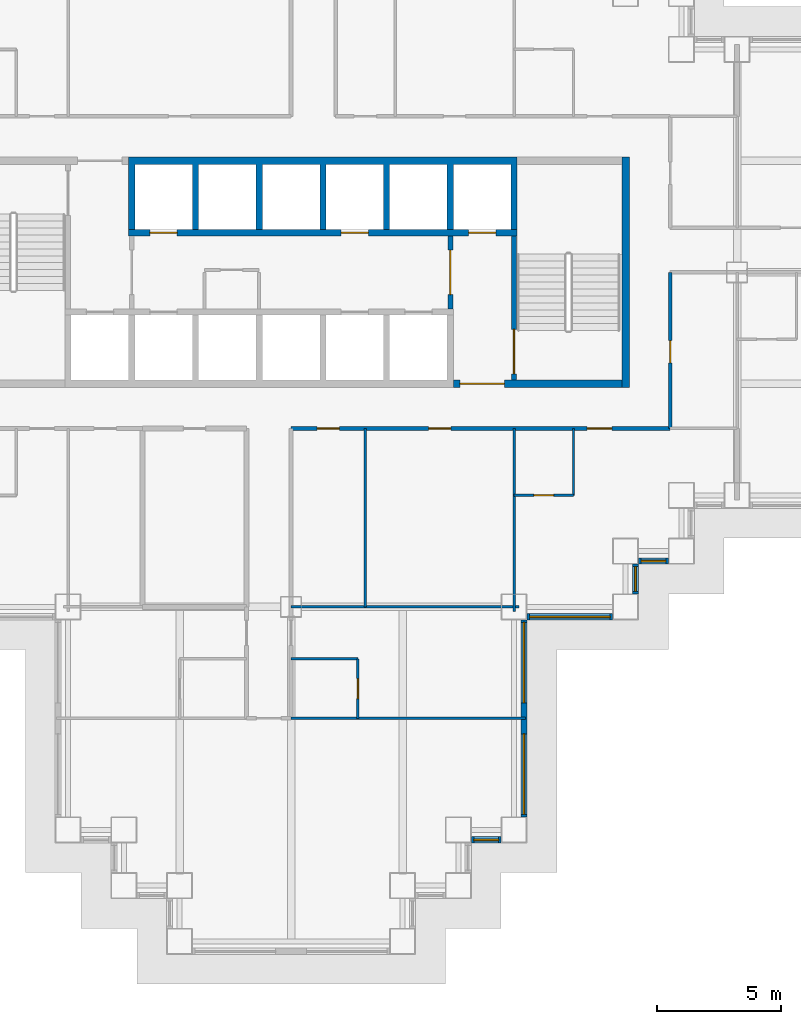
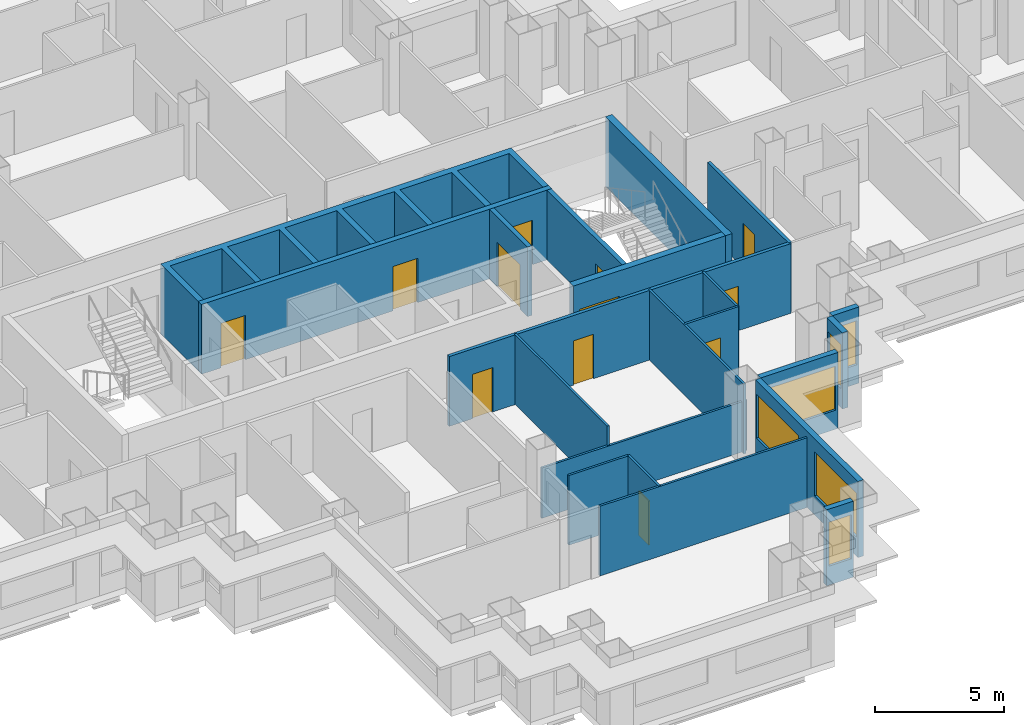
# One storey, part 5 of 14: 21 walls, 12 doors, 6 windows, 18 openings.
"""IFC4 building model written with IfcOpenShell, lengths in metres."""

from ifc_helpers import new_model, si_unit, direction, frame, frame_2d, origin, place, context, subcontext, project, spatial, polyline, rectangle, outline, extrude, material, layer, layer_set, type_object, element, fill, save


model = new_model("IFC4")

# Units and contexts
model_context = context("Model", 3, precision=1e-05, world=origin(), true_north=direction((0.0, 1.0)))
body_context = subcontext(model_context, "Body", "Model", "MODEL_VIEW")
ifc_project = project(units=[si_unit("LENGTHUNIT", "METRE"), si_unit("AREAUNIT", "SQUARE_METRE"), si_unit("VOLUMEUNIT", "CUBIC_METRE"), si_unit("PLANEANGLEUNIT", "RADIAN"), si_unit("MASSUNIT", "GRAM", prefix="KILO")], contexts=[model_context])

# Site, building, storey
site_placement = place(None, origin())
site = spatial("IfcSite", under=ifc_project, at=site_placement, CompositionType="ELEMENT")
building_placement = place(site_placement, origin())
building = spatial("IfcBuilding", under=site, at=building_placement, Name="Caravel Reach Hotel and Residences", CompositionType="ELEMENT")
storey_placement = place(building_placement, frame((0.0, 0.0, 37.199951171875)))
storey = spatial("IfcBuildingStorey", under=building, at=storey_placement, Name="L07", CompositionType="ELEMENT", Elevation=37.199951171875)

# Wall
ifc_material_1 = material(Name="Gypsum board on steel stud", Category="steel")
ifc_layer_1 = layer(ifc_material_1, 0.10009765625)
ifc_layer_set_1 = layer_set([ifc_layer_1], Name="Bathroom pod wall 100 mm")
wall_type_1 = type_object("IfcWallType", Name="Bathroom pod wall 100 mm", PredefinedType="PARTITIONING", material=ifc_layer_set_1)
wall_1_placement = place(storey_placement, frame((31.5, 11.39990234375, 0.0), z_axis=(0.0, 0.0, 1.0), x_axis=(1.0, 0.0, 0.0)))
element("IfcWall", 1, at=wall_1_placement, inside=storey, type_object=wall_type_1, Name="L07 wall w074", PredefinedType="PARTITIONING", context=body_context, shape_type="SweptSolid", body=[
    extrude(rectangle(XDim=2.699951171875, YDim=0.10009765625, at=frame_2d((1.35009765625, 0.0))), origin(), (0.0, 0.0, 1.0), 3.300048828125),
])

# Wall, opening, door
wall_2_placement = place(storey_placement, frame((40.5, 18.0, 0.0), z_axis=(0.0, 0.0, 1.0), x_axis=(1.0, 0.0, 0.0)))
wall_2 = element("IfcWall", 2, at=wall_2_placement, inside=storey, type_object=wall_type_1, Name="L07 wall w077", PredefinedType="PARTITIONING", context=body_context, shape_type="SweptSolid", body=[
    extrude(rectangle(XDim=2.39990234375, YDim=0.10009765625, at=frame_2d((1.199951171875, 0.0))), origin(), (0.0, 0.0, 1.0), 3.300048828125),
])
opening_1_placement = place(wall_2_placement, frame((0.800048828125, 0.0, 0.0)))
opening_1 = element("IfcOpeningElement", 3, at=opening_1_placement, cuts=wall_2, Name="Opening D07-048", PredefinedType="OPENING", context=body_context, shape_type="SweptSolid", body=[
    extrude(rectangle(XDim=0.800048828125, YDim=2.10009765625, at=frame_2d((0.39990234375, 1.050048828125))), frame((0.0, 0.06005859375, 0.0), z_axis=(0.0, -1.0, 0.0), x_axis=(1.0, 0.0, 0.0)), (0.0, 0.0, 1.0), 0.1201171875),
])
ifc_material_2 = material(Name="Timber and steel door leaf", Category="steel")
door_type_1 = type_object("IfcDoorType", Name="Bathroom door 800 x 2100", OperationType="SINGLE_SWING_LEFT", PredefinedType="DOOR", material=ifc_material_2)
door_1_placement = place(opening_1_placement, origin())
door_1 = element("IfcDoor", 4, at=door_1_placement, inside=storey, type_object=door_type_1, Name="door D07-048", OperationType="SINGLE_SWING_RIGHT", OverallHeight=2.10009765625, OverallWidth=0.800048828125, PredefinedType="DOOR", context=body_context, shape_type="SweptSolid", body=[
    extrude(rectangle(XDim=0.800048828125, YDim=2.10009765625, at=frame_2d((0.39990234375, 1.050048828125))), frame((0.0, 0.02490234375, 0.0), z_axis=(0.0, -1.0, 0.0), x_axis=(1.0, 0.0, 0.0)), (0.0, 0.0, 1.0), 0.050048828125),
])
fill(opening_1, door_1)

wall_3_placement = place(storey_placement, frame((34.199951171875, 9.0, 0.0), z_axis=(0.0, 0.0, 1.0), x_axis=(0.0, 1.0, 0.0)))
wall_3 = element("IfcWall", 5, at=wall_3_placement, inside=storey, type_object=wall_type_1, Name="L07 wall w097", PredefinedType="PARTITIONING", context=body_context, shape_type="SweptSolid", body=[
    extrude(rectangle(XDim=2.39990234375, YDim=0.10009765625, at=frame_2d((1.199951171875, 0.0))), origin(), (0.0, 0.0, 1.0), 3.300048828125),
])
opening_2_placement = place(wall_3_placement, frame((0.800048828125, 0.0, 0.0)))
opening_2 = element("IfcOpeningElement", 6, at=opening_2_placement, cuts=wall_3, Name="Opening D07-035", PredefinedType="OPENING", context=body_context, shape_type="SweptSolid", body=[
    extrude(rectangle(XDim=0.800048828125, YDim=2.10009765625, at=frame_2d((0.39990234375, 1.050048828125))), frame((0.0, 0.06005859375, 0.0), z_axis=(0.0, -1.0, 0.0), x_axis=(1.0, 0.0, 0.0)), (0.0, 0.0, 1.0), 0.1201171875),
])
door_2_placement = place(opening_2_placement, origin())
door_2 = element("IfcDoor", 7, at=door_2_placement, inside=storey, type_object=door_type_1, Name="door D07-035", OperationType="SINGLE_SWING_RIGHT", OverallHeight=2.10009765625, OverallWidth=0.800048828125, PredefinedType="DOOR", context=body_context, shape_type="SweptSolid", body=[
    extrude(rectangle(XDim=0.800048828125, YDim=2.10009765625, at=frame_2d((0.39990234375, 1.050048828125))), frame((0.0, 0.02490234375, 0.0), z_axis=(0.0, -1.0, 0.0), x_axis=(1.0, 0.0, 0.0)), (0.0, 0.0, 1.0), 0.050048828125),
])
fill(opening_2, door_2)

# Wall
wall_4_placement = place(storey_placement, frame((42.89990234375, 18.0, 0.0), z_axis=(0.0, 0.0, 1.0), x_axis=(0.0, 1.0, 0.0)))
element("IfcWall", 8, at=wall_4_placement, inside=storey, type_object=wall_type_1, Name="L07 wall w100", PredefinedType="PARTITIONING", context=body_context, shape_type="SweptSolid", body=[
    extrude(rectangle(XDim=2.699951171875, YDim=0.10009765625, at=frame_2d((1.35009765625, 0.0))), origin(), (0.0, 0.0, 1.0), 3.300048828125),
])

# Wall, opening, door
ifc_material_3 = material(Name="Concrete C60", Category="concrete")
ifc_layer_2 = layer(ifc_material_3, 0.300048828125)
ifc_layer_set_2 = layer_set([ifc_layer_2], Name="Core wall 300 mm EI 120")
wall_type_2 = type_object("IfcWallType", Name="Core wall 300 mm EI 120", PredefinedType="SHEAR", material=ifc_layer_set_2)
wall_5_placement = place(storey_placement, frame((38.053466796875, 22.5, 0.0), z_axis=(0.0, 0.0, 1.0), x_axis=(1.0, 0.0, 0.0)))
wall_5 = element("IfcWall", 9, at=wall_5_placement, inside=storey, type_object=wall_type_2, Name="L07 core wall S2", PredefinedType="SHEAR", context=body_context, shape_type="SweptSolid", body=[
    extrude(rectangle(XDim=6.796630859375, YDim=0.300048828125, at=frame_2d((3.3984375, 0.0))), origin(), (0.0, 0.0, 1.0), 3.300048828125),
])
opening_3_placement = place(wall_5_placement, frame((0.2607421875, 0.0, 0.0)))
opening_3 = element("IfcOpeningElement", 10, at=opening_3_placement, cuts=wall_5, Name="Opening D07-014", PredefinedType="OPENING", context=body_context, shape_type="SweptSolid", body=[
    extrude(rectangle(XDim=1.800048828125, YDim=2.10009765625, at=frame_2d((0.89990234375, 1.050048828125))), frame((0.0, 0.159912109375, 0.0), z_axis=(0.0, -1.0, 0.0), x_axis=(1.0, 0.0, 0.0)), (0.0, 0.0, 1.0), 0.320068359375),
])
ifc_material_4 = material(Name="Steel fire door leaf", Category="steel")
door_type_2 = type_object("IfcDoorType", Name="Fire lobby door pair 1800 x 2100 EI 90", OperationType="DOUBLE_DOOR_SINGLE_SWING", PredefinedType="DOOR", material=ifc_material_4)
door_3_placement = place(opening_3_placement, origin())
door_3 = element("IfcDoor", 11, at=door_3_placement, inside=storey, type_object=door_type_2, Name="lobby S door pair to corridor", OperationType="DOUBLE_DOOR_SINGLE_SWING", OverallHeight=2.10009765625, OverallWidth=1.800048828125, PredefinedType="DOOR", context=body_context, shape_type="SweptSolid", body=[
    extrude(rectangle(XDim=1.800048828125, YDim=2.10009765625, at=frame_2d((0.89990234375, 1.050048828125))), frame((0.0, 0.02490234375, 0.0), z_axis=(0.0, -1.0, 0.0), x_axis=(1.0, 0.0, 0.0)), (0.0, 0.0, 1.0), 0.050048828125),
])
fill(opening_3, door_3)

# Wall
wall_6_placement = place(storey_placement, frame((45.0, 22.35009765625, 0.0), z_axis=(0.0, 0.0, 1.0), x_axis=(0.0, 1.0, 0.0)))
element("IfcWall", 12, at=wall_6_placement, inside=storey, type_object=wall_type_2, Name="L07 core wall E", PredefinedType="SHEAR", context=body_context, shape_type="SweptSolid", body=[
    extrude(rectangle(XDim=9.2998046875, YDim=0.300048828125, at=frame_2d((4.64990234375, 0.0))), origin(), (0.0, 0.0, 1.0), 3.300048828125),
])

# Wall, openings, doors
ifc_material_5 = material(Name="Gypsum board on steel stud, fire-rated", Category="steel")
ifc_layer_3 = layer(ifc_material_5, 0.14990234375)
ifc_layer_set_3 = layer_set([ifc_layer_3], Name="Corridor wall 150 mm EI 60")
wall_type_3 = type_object("IfcWallType", Name="Corridor wall 150 mm EI 60", PredefinedType="PARTITIONING", material=ifc_layer_set_3)
wall_7_placement = place(storey_placement, frame((31.5, 20.699951171875, 0.0), z_axis=(0.0, 0.0, 1.0), x_axis=(1.0, 0.0, 0.0)))
wall_7 = element("IfcWall", 13, at=wall_7_placement, inside=storey, type_object=wall_type_3, Name="L07 wall w004", PredefinedType="PARTITIONING", context=body_context, shape_type="SweptSolid", body=[
    extrude(rectangle(XDim=15.300048828125, YDim=0.14990234375, at=frame_2d((7.64990234375, 0.0))), origin(), (0.0, 0.0, 1.0), 3.300048828125),
])
opening_4_placement = place(wall_7_placement, frame((11.949951171875, 0.0, 0.0)))
opening_4 = element("IfcOpeningElement", 14, at=opening_4_placement, cuts=wall_7, Name="Opening D07-047", PredefinedType="OPENING", context=body_context, shape_type="SweptSolid", body=[
    extrude(rectangle(XDim=1.0, YDim=2.10009765625, at=frame_2d((0.5, 1.050048828125))), frame((0.0, 0.0849609375, 0.0), z_axis=(0.0, -1.0, 0.0), x_axis=(1.0, 0.0, 0.0)), (0.0, 0.0, 1.0), 0.169921875),
])
opening_5_placement = place(wall_7_placement, frame((1.050048828125, 0.0, 0.0)))
opening_5 = element("IfcOpeningElement", 15, at=opening_5_placement, cuts=wall_7, Name="Opening D07-054", PredefinedType="OPENING", context=body_context, shape_type="SweptSolid", body=[
    extrude(rectangle(XDim=0.89990234375, YDim=2.10009765625, at=frame_2d((0.449951171875, 1.050048828125))), frame((0.0, 0.0849609375, 0.0), z_axis=(0.0, -1.0, 0.0), x_axis=(1.0, 0.0, 0.0)), (0.0, 0.0, 1.0), 0.169921875),
])
opening_6_placement = place(wall_7_placement, frame((5.550048828125, 0.0, 0.0)))
opening_6 = element("IfcOpeningElement", 16, at=opening_6_placement, cuts=wall_7, Name="Opening D07-055", PredefinedType="OPENING", context=body_context, shape_type="SweptSolid", body=[
    extrude(rectangle(XDim=0.89990234375, YDim=2.10009765625, at=frame_2d((0.449951171875, 1.050048828125))), frame((0.0, 0.0849609375, 0.0), z_axis=(0.0, -1.0, 0.0), x_axis=(1.0, 0.0, 0.0)), (0.0, 0.0, 1.0), 0.169921875),
])
ifc_material_6 = material(Name="Timber and steel door leaf", Category="steel")
door_type_3 = type_object("IfcDoorType", Name="Door 900 x 2100 timber", OperationType="SINGLE_SWING_LEFT", PredefinedType="DOOR", material=ifc_material_6)
door_4_placement = place(opening_5_placement, origin())
door_4 = element("IfcDoor", 17, at=door_4_placement, inside=storey, type_object=door_type_3, Name="door D07-054", OperationType="SINGLE_SWING_LEFT", OverallHeight=2.10009765625, OverallWidth=0.89990234375, PredefinedType="DOOR", context=body_context, shape_type="SweptSolid", body=[
    extrude(rectangle(XDim=0.89990234375, YDim=2.10009765625, at=frame_2d((0.449951171875, 1.050048828125))), frame((0.0, 0.02490234375, 0.0), z_axis=(0.0, -1.0, 0.0), x_axis=(1.0, 0.0, 0.0)), (0.0, 0.0, 1.0), 0.050048828125),
])
fill(opening_5, door_4)
door_5_placement = place(opening_6_placement, origin())
door_5 = element("IfcDoor", 18, at=door_5_placement, inside=storey, type_object=door_type_3, Name="door D07-055", OperationType="SINGLE_SWING_LEFT", OverallHeight=2.10009765625, OverallWidth=0.89990234375, PredefinedType="DOOR", context=body_context, shape_type="SweptSolid", body=[
    extrude(rectangle(XDim=0.89990234375, YDim=2.10009765625, at=frame_2d((0.449951171875, 1.050048828125))), frame((0.0, 0.02490234375, 0.0), z_axis=(0.0, -1.0, 0.0), x_axis=(1.0, 0.0, 0.0)), (0.0, 0.0, 1.0), 0.050048828125),
])
fill(opening_6, door_5)
ifc_material_7 = material(Name="Steel fire door leaf", Category="steel")
door_type_4 = type_object("IfcDoorType", Name="Guest room door 1000 x 2100 EI 30", OperationType="SINGLE_SWING_LEFT", PredefinedType="DOOR", material=ifc_material_7)
door_6_placement = place(opening_4_placement, origin())
door_6 = element("IfcDoor", 19, at=door_6_placement, inside=storey, type_object=door_type_4, Name="door D07-047", OperationType="SINGLE_SWING_RIGHT", OverallHeight=2.10009765625, OverallWidth=1.0, PredefinedType="DOOR", context=body_context, shape_type="SweptSolid", body=[
    extrude(rectangle(XDim=1.0, YDim=2.10009765625, at=frame_2d((0.5, 1.050048828125))), frame((0.0, 0.02490234375, 0.0), z_axis=(0.0, -1.0, 0.0), x_axis=(1.0, 0.0, 0.0)), (0.0, 0.0, 1.0), 0.050048828125),
])
fill(opening_4, door_6)

# Wall, opening, door
wall_8_placement = place(storey_placement, frame((46.800048828125, 20.699951171875, 0.0), z_axis=(0.0, 0.0, 1.0), x_axis=(0.0, 1.0, 0.0)))
wall_8 = element("IfcWall", 20, at=wall_8_placement, inside=storey, type_object=wall_type_3, Name="L07 wall w035", PredefinedType="PARTITIONING", context=body_context, shape_type="SweptSolid", body=[
    extrude(rectangle(XDim=6.300048828125, YDim=0.14990234375, at=frame_2d((3.14990234375, 0.0))), origin(), (0.0, 0.0, 1.0), 3.300048828125),
])
opening_7_placement = place(wall_8_placement, frame((2.64990234375, 0.0, 0.0)))
opening_7 = element("IfcOpeningElement", 21, at=opening_7_placement, cuts=wall_8, Name="Opening D07-058", PredefinedType="OPENING", context=body_context, shape_type="SweptSolid", body=[
    extrude(rectangle(XDim=0.89990234375, YDim=2.10009765625, at=frame_2d((0.449951171875, 1.050048828125))), frame((0.0, 0.0849609375, 0.0), z_axis=(0.0, -1.0, 0.0), x_axis=(1.0, 0.0, 0.0)), (0.0, 0.0, 1.0), 0.169921875),
])
door_7_placement = place(opening_7_placement, origin())
door_7 = element("IfcDoor", 22, at=door_7_placement, inside=storey, type_object=door_type_3, Name="door D07-058", OperationType="SINGLE_SWING_RIGHT", OverallHeight=2.10009765625, OverallWidth=0.89990234375, PredefinedType="DOOR", context=body_context, shape_type="SweptSolid", body=[
    extrude(rectangle(XDim=0.89990234375, YDim=2.10009765625, at=frame_2d((0.449951171875, 1.050048828125))), frame((0.0, 0.02490234375, 0.0), z_axis=(0.0, -1.0, 0.0), x_axis=(1.0, 0.0, 0.0)), (0.0, 0.0, 1.0), 0.050048828125),
])
fill(opening_7, door_7)

# Wall, opening, window
ifc_material_8 = material(Name="Insulated rainscreen wall, aluminium cladding", Category="aluminium")
ifc_layer_4 = layer(ifc_material_8, 0.25)
ifc_layer_set_4 = layer_set([ifc_layer_4], Name="EW1 Tower rainscreen wall")
wall_type_4 = type_object("IfcWallType", Name="EW1 Tower rainscreen wall", PredefinedType="SOLIDWALL", material=ifc_layer_set_4)
wall_9_placement = place(storey_placement, frame((38.77490234375, 4.10009765625, 0.0), z_axis=(0.0, 0.0, 1.0), x_axis=(1.0, 0.0, 0.0)))
wall_9 = element("IfcWall", 23, at=wall_9_placement, inside=storey, type_object=wall_type_4, Name="External wall L07 S9.1", PredefinedType="SOLIDWALL", context=body_context, shape_type="SweptSolid", body=[
    extrude(rectangle(XDim=1.2001953125, YDim=0.25, at=frame_2d((0.60009765625, 0.0))), origin(), (0.0, 0.0, 1.0), 3.60009765625),
])
opening_8_placement = place(wall_9_placement, frame((0.10009765625, 0.0, 0.89990234375)))
opening_8 = element("IfcOpeningElement", 24, at=opening_8_placement, cuts=wall_9, Name="Opening WN1", PredefinedType="OPENING", context=body_context, shape_type="SweptSolid", body=[
    extrude(rectangle(XDim=1.0, YDim=2.080078125, at=frame_2d((0.5, 1.0400390625))), frame((0.0, 0.135009765625, 0.0), z_axis=(0.0, -1.0, 0.0), x_axis=(1.0, 0.0, 0.0)), (0.0, 0.0, 1.0), 0.27001953125),
])
ifc_material_9 = material(Name="Dark low-e glazing in black aluminium frame", Category="aluminium")
window_type_1 = type_object("IfcWindowType", Name="Hotel suite corner window 1000 x 2080", PartitioningType="SINGLE_PANEL", PredefinedType="WINDOW", material=ifc_material_9)
window_1_placement = place(opening_8_placement, origin())
window_1 = element("IfcWindow", 25, at=window_1_placement, inside=storey, type_object=window_type_1, Name="Window L07 S9.1.1", OverallHeight=2.080078125, OverallWidth=1.0, PartitioningType="SINGLE_PANEL", PredefinedType="WINDOW", context=body_context, shape_type="SweptSolid", body=[
    extrude(rectangle(XDim=1.0, YDim=2.080078125, at=frame_2d((0.5, 1.0400390625))), frame((0.0, 0.030029296875, 0.0), z_axis=(0.0, -1.0, 0.0), x_axis=(1.0, 0.0, 0.0)), (0.0, 0.0, 1.0), 0.06005859375),
])
fill(opening_8, window_1)

# Wall, openings, windows
wall_10_placement = place(storey_placement, frame((40.89990234375, 5.02490234375, 0.0), z_axis=(0.0, 0.0, 1.0), x_axis=(0.0, 1.0, 0.0)))
wall_10 = element("IfcWall", 26, at=wall_10_placement, inside=storey, type_object=wall_type_4, Name="External wall L07 E10.1", PredefinedType="SOLIDWALL", context=body_context, shape_type="SweptSolid", body=[
    extrude(rectangle(XDim=7.9501953125, YDim=0.25, at=frame_2d((3.97509765625, 0.0))), origin(), (0.0, 0.0, 1.0), 3.60009765625),
])
opening_9_placement = place(wall_10_placement, frame((0.10009765625, 0.0, 0.89990234375)))
opening_9 = element("IfcOpeningElement", 27, at=opening_9_placement, cuts=wall_10, Name="Opening WN2", PredefinedType="OPENING", context=body_context, shape_type="SweptSolid", body=[
    extrude(rectangle(XDim=3.25, YDim=2.080078125, at=frame_2d((1.625, 1.0400390625))), frame((0.0, 0.135009765625, 0.0), z_axis=(0.0, -1.0, 0.0), x_axis=(1.0, 0.0, 0.0)), (0.0, 0.0, 1.0), 0.27001953125),
])
opening_10_placement = place(wall_10_placement, frame((4.60009765625, 0.0, 0.89990234375)))
opening_10 = element("IfcOpeningElement", 28, at=opening_10_placement, cuts=wall_10, Name="Opening WN2", PredefinedType="OPENING", context=body_context, shape_type="SweptSolid", body=[
    extrude(rectangle(XDim=3.25, YDim=2.080078125, at=frame_2d((1.625, 1.0400390625))), frame((0.0, 0.135009765625, 0.0), z_axis=(0.0, -1.0, 0.0), x_axis=(1.0, 0.0, 0.0)), (0.0, 0.0, 1.0), 0.27001953125),
])
ifc_material_10 = material(Name="Dark low-e glazing in black aluminium frame", Category="aluminium")
window_type_2 = type_object("IfcWindowType", Name="Hotel guest room window 3250 x 2080", PartitioningType="SINGLE_PANEL", PredefinedType="WINDOW", material=ifc_material_10)
window_2_placement = place(opening_9_placement, origin())
window_2 = element("IfcWindow", 29, at=window_2_placement, inside=storey, type_object=window_type_2, Name="Window L07 E10.1.1", OverallHeight=2.080078125, OverallWidth=3.25, PartitioningType="SINGLE_PANEL", PredefinedType="WINDOW", context=body_context, shape_type="SweptSolid", body=[
    extrude(rectangle(XDim=3.25, YDim=2.080078125, at=frame_2d((1.625, 1.0400390625))), frame((0.0, 0.030029296875, 0.0), z_axis=(0.0, -1.0, 0.0), x_axis=(1.0, 0.0, 0.0)), (0.0, 0.0, 1.0), 0.06005859375),
])
fill(opening_9, window_2)
window_3_placement = place(opening_10_placement, origin())
window_3 = element("IfcWindow", 30, at=window_3_placement, inside=storey, type_object=window_type_2, Name="Window L07 E10.1.2", OverallHeight=2.080078125, OverallWidth=3.25, PartitioningType="SINGLE_PANEL", PredefinedType="WINDOW", context=body_context, shape_type="SweptSolid", body=[
    extrude(rectangle(XDim=3.25, YDim=2.080078125, at=frame_2d((1.625, 1.0400390625))), frame((0.0, 0.030029296875, 0.0), z_axis=(0.0, -1.0, 0.0), x_axis=(1.0, 0.0, 0.0)), (0.0, 0.0, 1.0), 0.06005859375),
])
fill(opening_10, window_3)

# Wall, opening, window
wall_11_placement = place(storey_placement, frame((41.02490234375, 13.10009765625, 0.0), z_axis=(0.0, 0.0, 1.0), x_axis=(1.0, 0.0, 0.0)))
wall_11 = element("IfcWall", 31, at=wall_11_placement, inside=storey, type_object=wall_type_4, Name="External wall L07 S11.1", PredefinedType="SOLIDWALL", context=body_context, shape_type="SweptSolid", body=[
    extrude(rectangle(XDim=3.4501953125, YDim=0.25, at=frame_2d((1.72509765625, 0.0))), origin(), (0.0, 0.0, 1.0), 3.60009765625),
])
opening_11_placement = place(wall_11_placement, frame((0.10009765625, 0.0, 0.89990234375)))
opening_11 = element("IfcOpeningElement", 32, at=opening_11_placement, cuts=wall_11, Name="Opening WN2", PredefinedType="OPENING", context=body_context, shape_type="SweptSolid", body=[
    extrude(rectangle(XDim=3.25, YDim=2.080078125, at=frame_2d((1.625, 1.0400390625))), frame((0.0, 0.135009765625, 0.0), z_axis=(0.0, -1.0, 0.0), x_axis=(1.0, 0.0, 0.0)), (0.0, 0.0, 1.0), 0.27001953125),
])
window_4_placement = place(opening_11_placement, origin())
window_4 = element("IfcWindow", 33, at=window_4_placement, inside=storey, type_object=window_type_2, Name="Window L07 S11.1.1", OverallHeight=2.080078125, OverallWidth=3.25, PartitioningType="SINGLE_PANEL", PredefinedType="WINDOW", context=body_context, shape_type="SweptSolid", body=[
    extrude(rectangle(XDim=3.25, YDim=2.080078125, at=frame_2d((1.625, 1.0400390625))), frame((0.0, 0.030029296875, 0.0), z_axis=(0.0, -1.0, 0.0), x_axis=(1.0, 0.0, 0.0)), (0.0, 0.0, 1.0), 0.06005859375),
])
fill(opening_11, window_4)

wall_12_placement = place(storey_placement, frame((45.39990234375, 14.02490234375, 0.0), z_axis=(0.0, 0.0, 1.0), x_axis=(0.0, 1.0, 0.0)))
wall_12 = element("IfcWall", 34, at=wall_12_placement, inside=storey, type_object=wall_type_4, Name="External wall L07 E12.1", PredefinedType="SOLIDWALL", context=body_context, shape_type="SweptSolid", body=[
    extrude(rectangle(XDim=1.2001953125, YDim=0.25, at=frame_2d((0.60009765625, 0.0))), origin(), (0.0, 0.0, 1.0), 3.60009765625),
])
opening_12_placement = place(wall_12_placement, frame((0.10009765625, 0.0, 0.89990234375)))
opening_12 = element("IfcOpeningElement", 35, at=opening_12_placement, cuts=wall_12, Name="Opening WN1", PredefinedType="OPENING", context=body_context, shape_type="SweptSolid", body=[
    extrude(rectangle(XDim=1.0, YDim=2.080078125, at=frame_2d((0.5, 1.0400390625))), frame((0.0, 0.135009765625, 0.0), z_axis=(0.0, -1.0, 0.0), x_axis=(1.0, 0.0, 0.0)), (0.0, 0.0, 1.0), 0.27001953125),
])
window_5_placement = place(opening_12_placement, origin())
window_5 = element("IfcWindow", 36, at=window_5_placement, inside=storey, type_object=window_type_1, Name="Window L07 E12.1.1", OverallHeight=2.080078125, OverallWidth=1.0, PartitioningType="SINGLE_PANEL", PredefinedType="WINDOW", context=body_context, shape_type="SweptSolid", body=[
    extrude(rectangle(XDim=1.0, YDim=2.080078125, at=frame_2d((0.5, 1.0400390625))), frame((0.0, 0.030029296875, 0.0), z_axis=(0.0, -1.0, 0.0), x_axis=(1.0, 0.0, 0.0)), (0.0, 0.0, 1.0), 0.06005859375),
])
fill(opening_12, window_5)

wall_13_placement = place(storey_placement, frame((45.52490234375, 15.35009765625, 0.0), z_axis=(0.0, 0.0, 1.0), x_axis=(1.0, 0.0, 0.0)))
wall_13 = element("IfcWall", 37, at=wall_13_placement, inside=storey, type_object=wall_type_4, Name="External wall L07 S13.1", PredefinedType="SOLIDWALL", context=body_context, shape_type="SweptSolid", body=[
    extrude(rectangle(XDim=1.2001953125, YDim=0.25, at=frame_2d((0.60009765625, 0.0))), origin(), (0.0, 0.0, 1.0), 3.60009765625),
])
opening_13_placement = place(wall_13_placement, frame((0.10009765625, 0.0, 0.89990234375)))
opening_13 = element("IfcOpeningElement", 38, at=opening_13_placement, cuts=wall_13, Name="Opening WN1", PredefinedType="OPENING", context=body_context, shape_type="SweptSolid", body=[
    extrude(rectangle(XDim=1.0, YDim=2.080078125, at=frame_2d((0.5, 1.0400390625))), frame((0.0, 0.135009765625, 0.0), z_axis=(0.0, -1.0, 0.0), x_axis=(1.0, 0.0, 0.0)), (0.0, 0.0, 1.0), 0.27001953125),
])
window_6_placement = place(opening_13_placement, origin())
window_6 = element("IfcWindow", 39, at=window_6_placement, inside=storey, type_object=window_type_1, Name="Window L07 S13.1.1", OverallHeight=2.080078125, OverallWidth=1.0, PartitioningType="SINGLE_PANEL", PredefinedType="WINDOW", context=body_context, shape_type="SweptSolid", body=[
    extrude(rectangle(XDim=1.0, YDim=2.080078125, at=frame_2d((0.5, 1.0400390625))), frame((0.0, 0.030029296875, 0.0), z_axis=(0.0, -1.0, 0.0), x_axis=(1.0, 0.0, 0.0)), (0.0, 0.0, 1.0), 0.06005859375),
])
fill(opening_13, window_6)

# Wall, opening, door
ifc_material_11 = material(Name="Autoclaved aerated block wall")
ifc_layer_5 = layer(ifc_material_11, 0.199951171875)
ifc_layer_set_5 = layer_set([ifc_layer_5], Name="Fire lobby wall 200 mm EI 120")
wall_type_5 = type_object("IfcWallType", Name="Fire lobby wall 200 mm EI 120", PredefinedType="PARTITIONING", material=ifc_layer_set_5)
wall_14_placement = place(storey_placement, frame((37.928466796875, 25.52490234375, 0.0), z_axis=(0.0, 0.0, 1.0), x_axis=(0.0, 1.0, 0.0)))
wall_14 = element("IfcWall", 40, at=wall_14_placement, inside=storey, type_object=wall_type_5, Name="L07 lobby E wall", PredefinedType="PARTITIONING", context=body_context, shape_type="SweptSolid", body=[
    extrude(rectangle(XDim=2.9501953125, YDim=0.199951171875, at=frame_2d((1.47509765625, 0.0))), origin(), (0.0, 0.0, 1.0), 3.300048828125),
])
opening_14_placement = place(wall_14_placement, frame((0.574951171875, 0.0, 0.0)))
opening_14 = element("IfcOpeningElement", 41, at=opening_14_placement, cuts=wall_14, Name="Opening D07-012", PredefinedType="OPENING", context=body_context, shape_type="SweptSolid", body=[
    extrude(rectangle(XDim=1.800048828125, YDim=2.10009765625, at=frame_2d((0.89990234375, 1.050048828125))), frame((0.0, 0.10986328125, 0.0), z_axis=(0.0, -1.0, 0.0), x_axis=(1.0, 0.0, 0.0)), (0.0, 0.0, 1.0), 0.219970703125),
])
door_8_placement = place(opening_14_placement, origin())
door_8 = element("IfcDoor", 42, at=door_8_placement, inside=storey, type_object=door_type_2, Name="lobby E door pair", OperationType="DOUBLE_DOOR_SINGLE_SWING", OverallHeight=2.10009765625, OverallWidth=1.800048828125, PredefinedType="DOOR", context=body_context, shape_type="SweptSolid", body=[
    extrude(rectangle(XDim=1.800048828125, YDim=2.10009765625, at=frame_2d((0.89990234375, 1.050048828125))), frame((0.0, 0.02490234375, 0.0), z_axis=(0.0, -1.0, 0.0), x_axis=(1.0, 0.0, 0.0)), (0.0, 0.0, 1.0), 0.050048828125),
])
fill(opening_14, door_8)

# Walls
ifc_material_12 = material(Name="Gypsum board on steel stud", Category="steel")
ifc_layer_6 = layer(ifc_material_12, 0.10009765625)
ifc_layer_set_6 = layer_set([ifc_layer_6], Name="Partition 100 mm")
wall_type_6 = type_object("IfcWallType", Name="Partition 100 mm", PredefinedType="PARTITIONING", material=ifc_layer_set_6)
wall_15_placement = place(storey_placement, frame((31.5, 13.5, 0.0), z_axis=(0.0, 0.0, 1.0), x_axis=(1.0, 0.0, 0.0)))
element("IfcWall", 43, at=wall_15_placement, inside=storey, type_object=wall_type_6, Name="L07 wall w038", PredefinedType="PARTITIONING", context=body_context, shape_type="SweptSolid", body=[
    extrude(rectangle(XDim=9.18994140625, YDim=0.10009765625, at=frame_2d((4.594970703125, 0.0))), origin(), (0.0, 0.0, 1.0), 2.380126953125),
])
wall_16_placement = place(storey_placement, frame((31.5, 9.0, 0.0), z_axis=(0.0, 0.0, 1.0), x_axis=(1.0, 0.0, 0.0)))
element("IfcWall", 44, at=wall_16_placement, inside=storey, type_object=wall_type_6, Name="L07 wall w052", PredefinedType="PARTITIONING", context=body_context, shape_type="SweptSolid", body=[
    extrude(rectangle(XDim=9.465087890625, YDim=0.10009765625, at=frame_2d((4.732421875, 0.0))), origin(), (0.0, 0.0, 1.0), 3.300048828125),
])
wall_17_placement = place(storey_placement, frame((34.5, 13.5, 0.0), z_axis=(0.0, 0.0, 1.0), x_axis=(0.0, 1.0, 0.0)))
element("IfcWall", 45, at=wall_17_placement, inside=storey, type_object=wall_type_6, Name="L07 wall w058", PredefinedType="PARTITIONING", context=body_context, shape_type="SweptSolid", body=[
    extrude(rectangle(XDim=7.199951171875, YDim=0.10009765625, at=frame_2d((3.60009765625, 0.0))), origin(), (0.0, 0.0, 1.0), 3.300048828125),
])
wall_18_placement = place(storey_placement, frame((40.5, 13.31005859375, 0.0), z_axis=(0.0, 0.0, 1.0), x_axis=(0.0, 1.0, 0.0)))
element("IfcWall", 46, at=wall_18_placement, inside=storey, type_object=wall_type_6, Name="L07 wall w061", PredefinedType="PARTITIONING", context=body_context, shape_type="SweptSolid", body=[
    extrude(rectangle(XDim=7.389892578125, YDim=0.10009765625, at=frame_2d((3.69482421875, 0.0))), origin(), (0.0, 0.0, 1.0), 3.300048828125),
])
ifc_material_13 = material(Name="Concrete C60", Category="concrete")
ifc_layer_7 = layer(ifc_material_13, 0.25)
ifc_layer_set_7 = layer_set([ifc_layer_7], Name="Shaft wall 250 mm EI 120")
wall_type_7 = type_object("IfcWallType", Name="Shaft wall 250 mm EI 120", PredefinedType="SHEAR", material=ifc_layer_set_7)
wall_19_placement = place(storey_placement, origin())
element("IfcWall", 47, at=wall_19_placement, inside=storey, type_object=wall_type_7, Name="L07 lift shaft wall N1", PredefinedType="SHEAR", context=body_context, shape_type="SweptSolid", body=[
    extrude(outline(polyline([(24.946533203125, 28.72509765625), (25.196533203125, 28.72509765625), (25.196533203125, 31.35009765625), (27.517822265625, 31.35009765625), (27.517822265625, 28.72509765625), (27.767822265625, 28.72509765625), (27.767822265625, 31.35009765625), (30.08935546875, 31.35009765625), (30.08935546875, 28.72509765625), (30.33935546875, 28.72509765625), (30.33935546875, 31.35009765625), (32.66064453125, 31.35009765625), (32.66064453125, 28.72509765625), (32.91064453125, 28.72509765625), (32.91064453125, 31.35009765625), (35.232177734375, 31.35009765625), (35.232177734375, 28.72509765625), (35.482177734375, 28.72509765625), (35.482177734375, 31.35009765625), (37.803466796875, 31.35009765625), (37.803466796875, 28.72509765625), (38.053466796875, 28.72509765625), (38.053466796875, 31.35009765625), (40.375, 31.35009765625), (40.375, 28.72509765625), (40.625, 28.72509765625), (40.625, 31.64990234375), (24.946533203125, 31.64990234375), (24.946533203125, 28.72509765625)])), origin(), (0.0, 0.0, 1.0), 3.300048828125),
])

# Wall, openings, doors
wall_20_placement = place(storey_placement, frame((24.946533203125, 28.60009765625, 0.0), z_axis=(0.0, 0.0, 1.0), x_axis=(1.0, 0.0, 0.0)))
wall_20 = element("IfcWall", 48, at=wall_20_placement, inside=storey, type_object=wall_type_7, Name="L07 lobby wall N1", PredefinedType="SHEAR", context=body_context, shape_type="SweptSolid", body=[
    extrude(rectangle(XDim=15.678466796875, YDim=0.25, at=frame_2d((7.83935546875, 0.0))), origin(), (0.0, 0.0, 1.0), 3.300048828125),
])
opening_15_placement = place(wall_20_placement, frame((0.860595703125, 0.0, 0.0)))
opening_15 = element("IfcOpeningElement", 49, at=opening_15_placement, cuts=wall_20, Name="Opening D07-004", PredefinedType="OPENING", context=body_context, shape_type="SweptSolid", body=[
    extrude(rectangle(XDim=1.10009765625, YDim=2.10009765625, at=frame_2d((0.550048828125, 1.050048828125))), frame((0.0, 0.135009765625, 0.0), z_axis=(0.0, -1.0, 0.0), x_axis=(1.0, 0.0, 0.0)), (0.0, 0.0, 1.0), 0.27001953125),
])
opening_16_placement = place(wall_20_placement, frame((8.574951171875, 0.0, 0.0)))
opening_16 = element("IfcOpeningElement", 50, at=opening_16_placement, cuts=wall_20, Name="Opening D07-005", PredefinedType="OPENING", context=body_context, shape_type="SweptSolid", body=[
    extrude(rectangle(XDim=1.10009765625, YDim=2.10009765625, at=frame_2d((0.550048828125, 1.050048828125))), frame((0.0, 0.135009765625, 0.0), z_axis=(0.0, -1.0, 0.0), x_axis=(1.0, 0.0, 0.0)), (0.0, 0.0, 1.0), 0.27001953125),
])
opening_17_placement = place(wall_20_placement, frame((13.718017578125, 0.0, 0.0)))
opening_17 = element("IfcOpeningElement", 51, at=opening_17_placement, cuts=wall_20, Name="Opening D07-007", PredefinedType="OPENING", context=body_context, shape_type="SweptSolid", body=[
    extrude(rectangle(XDim=1.10009765625, YDim=2.10009765625, at=frame_2d((0.550048828125, 1.050048828125))), frame((0.0, 0.135009765625, 0.0), z_axis=(0.0, -1.0, 0.0), x_axis=(1.0, 0.0, 0.0)), (0.0, 0.0, 1.0), 0.27001953125),
])
ifc_material_14 = material(Name="Stainless steel landing door", Category="steel")
door_type_5 = type_object("IfcDoorType", Name="Landing door LD 1100 x 2100 sliding", OperationType="DOUBLE_DOOR_SLIDING", PredefinedType="DOOR", material=ifc_material_14)
door_9_placement = place(opening_15_placement, origin())
door_9 = element("IfcDoor", 52, at=door_9_placement, inside=storey, type_object=door_type_5, Name="LP4 landing door", OperationType="DOUBLE_DOOR_SLIDING", OverallHeight=2.10009765625, OverallWidth=1.10009765625, PredefinedType="DOOR", context=body_context, shape_type="SweptSolid", body=[
    extrude(rectangle(XDim=1.10009765625, YDim=2.10009765625, at=frame_2d((0.550048828125, 1.050048828125))), frame((0.0, 0.02490234375, 0.0), z_axis=(0.0, -1.0, 0.0), x_axis=(1.0, 0.0, 0.0)), (0.0, 0.0, 1.0), 0.050048828125),
])
fill(opening_15, door_9)
door_10_placement = place(opening_16_placement, origin())
door_10 = element("IfcDoor", 53, at=door_10_placement, inside=storey, type_object=door_type_5, Name="LP5 landing door", OperationType="DOUBLE_DOOR_SLIDING", OverallHeight=2.10009765625, OverallWidth=1.10009765625, PredefinedType="DOOR", context=body_context, shape_type="SweptSolid", body=[
    extrude(rectangle(XDim=1.10009765625, YDim=2.10009765625, at=frame_2d((0.550048828125, 1.050048828125))), frame((0.0, 0.02490234375, 0.0), z_axis=(0.0, -1.0, 0.0), x_axis=(1.0, 0.0, 0.0)), (0.0, 0.0, 1.0), 0.050048828125),
])
fill(opening_16, door_10)
door_11_placement = place(opening_17_placement, origin())
door_11 = element("IfcDoor", 54, at=door_11_placement, inside=storey, type_object=door_type_5, Name="FL2 landing door", OperationType="DOUBLE_DOOR_SLIDING", OverallHeight=2.10009765625, OverallWidth=1.10009765625, PredefinedType="DOOR", context=body_context, shape_type="SweptSolid", body=[
    extrude(rectangle(XDim=1.10009765625, YDim=2.10009765625, at=frame_2d((0.550048828125, 1.050048828125))), frame((0.0, 0.02490234375, 0.0), z_axis=(0.0, -1.0, 0.0), x_axis=(1.0, 0.0, 0.0)), (0.0, 0.0, 1.0), 0.050048828125),
])
fill(opening_17, door_11)

# Wall, opening, door
ifc_material_15 = material(Name="Concrete C60", Category="concrete")
ifc_layer_8 = layer(ifc_material_15, 0.199951171875)
ifc_layer_set_8 = layer_set([ifc_layer_8], Name="Stair enclosure wall 200 mm EI 120")
wall_type_8 = type_object("IfcWallType", Name="Stair enclosure wall 200 mm EI 120", PredefinedType="SHEAR", material=ifc_layer_set_8)
wall_21_placement = place(storey_placement, frame((40.5, 22.64990234375, 0.0), z_axis=(0.0, 0.0, 1.0), x_axis=(0.0, 1.0, 0.0)))
wall_21 = element("IfcWall", 55, at=wall_21_placement, inside=storey, type_object=wall_type_8, Name="L07 stair B wall", PredefinedType="SHEAR", context=body_context, shape_type="SweptSolid", body=[
    extrude(rectangle(XDim=5.8251953125, YDim=0.199951171875, at=frame_2d((2.91259765625, 0.0))), origin(), (0.0, 0.0, 1.0), 3.300048828125),
])
opening_18_placement = place(wall_21_placement, frame((0.25, 0.0, 0.0)))
opening_18 = element("IfcOpeningElement", 56, at=opening_18_placement, cuts=wall_21, Name="Opening D07-010", PredefinedType="OPENING", context=body_context, shape_type="SweptSolid", body=[
    extrude(rectangle(XDim=1.800048828125, YDim=2.10009765625, at=frame_2d((0.89990234375, 1.050048828125))), frame((0.0, 0.10986328125, 0.0), z_axis=(0.0, -1.0, 0.0), x_axis=(1.0, 0.0, 0.0)), (0.0, 0.0, 1.0), 0.219970703125),
])
ifc_material_16 = material(Name="Steel fire door leaf", Category="steel")
door_type_6 = type_object("IfcDoorType", Name="Stair door pair 1800 x 2100 EI 90", OperationType="DOUBLE_DOOR_SINGLE_SWING", PredefinedType="DOOR", material=ifc_material_16)
door_12_placement = place(opening_18_placement, origin())
door_12 = element("IfcDoor", 57, at=door_12_placement, inside=storey, type_object=door_type_6, Name="stair B door pair", OperationType="DOUBLE_DOOR_SINGLE_SWING", OverallHeight=2.10009765625, OverallWidth=1.800048828125, PredefinedType="DOOR", context=body_context, shape_type="SweptSolid", body=[
    extrude(rectangle(XDim=1.800048828125, YDim=2.10009765625, at=frame_2d((0.89990234375, 1.050048828125))), frame((0.0, 0.02490234375, 0.0), z_axis=(0.0, -1.0, 0.0), x_axis=(1.0, 0.0, 0.0)), (0.0, 0.0, 1.0), 0.050048828125),
])
fill(opening_18, door_12)

save(model, "model.ifc")
